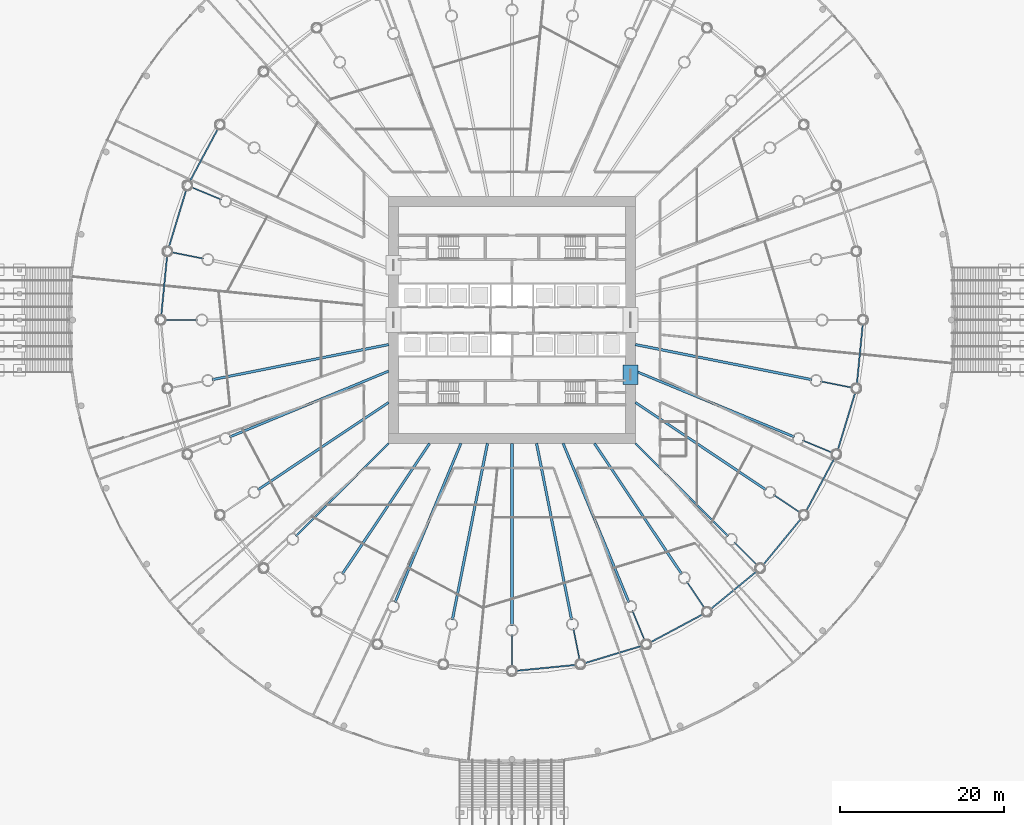
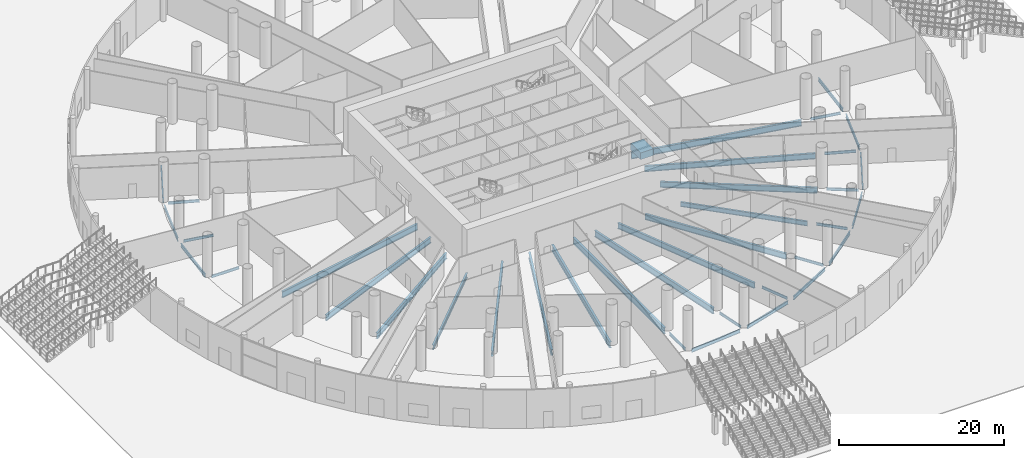
# One storey, part 7 of 33: 38 beams.
"""IFC4 building model written with IfcOpenShell, lengths in metres."""

import ifcopenshell
import ifcopenshell.guid

model = None  # the IFC model being written
_history = None  # IfcOwnerHistory: only IFC2X3 demands one
_inside = {}  # id of a spatial element -> (the spatial element, [elements in it])
_under = {}  # id of a project, library or spatial element -> (it, [spatial elements below it])
_declared = {}  # id of a project -> (the project, [libraries it declares])
_typed = {}  # id of a type object -> (the type object, [elements of that type])
_made_of = {}  # id of a material, layer set ... -> (it, [elements and type objects made of it])


def new_model(schema):
    """Start an empty IFC model of exactly this schema.

    Asked for "IFC4X3", IfcOpenShell would pick the latest addendum, in which some entities
    have other attributes; the version numbers below select the first issue.
    IFC2X3 requires an IfcOwnerHistory on every rooted entity: one is made here for all.
    """
    global model, _history
    if schema == "IFC4X3":
        model = ifcopenshell.file(schema_version=(4, 3, 0, 0))
    else:
        model = ifcopenshell.file(schema=schema)
    _inside.clear()
    _under.clear()
    _declared.clear()
    _typed.clear()
    _made_of.clear()
    _history = None
    if model.schema == "IFC2X3":
        org = make("IfcOrganization", Name="unknown")
        user = make(
            "IfcPersonAndOrganization",
            ThePerson=make("IfcPerson", FamilyName="unknown"),
            TheOrganization=org,
        )
        app = make(
            "IfcApplication",
            ApplicationDeveloper=org,
            Version="unknown",
            ApplicationFullName="unknown",
            ApplicationIdentifier="unknown",
        )
        _history = make(
            "IfcOwnerHistory",
            OwningUser=user,
            OwningApplication=app,
            ChangeAction="ADDED",
            CreationDate=0,
        )
    return model


def make(cls, **values):
    """One entity of the class cls with the attributes given. An attribute that is None is left unset."""
    return model.create_entity(
        cls, **{name: value for name, value in values.items() if value is not None}
    )


def rooted(cls, **values):
    """An entity with a GlobalId (a new one), such as an element, a storey or a relation."""
    return make(cls, GlobalId=ifcopenshell.guid.new(), OwnerHistory=_history, **values)


def si_unit(unit_type, name, prefix=None):
    """IfcSIUnit, for example si_unit("LENGTHUNIT", "METRE", prefix="MILLI")."""
    return make("IfcSIUnit", UnitType=unit_type, Prefix=prefix, Name=name)


def assignment(units):
    """IfcUnitAssignment: the units of a project."""
    return None if units is None else make("IfcUnitAssignment", Units=units)


def point(xyz):
    """IfcCartesianPoint."""
    return None if xyz is None else make("IfcCartesianPoint", Coordinates=xyz)


def direction(xyz):
    """IfcDirection."""
    return None if xyz is None else make("IfcDirection", DirectionRatios=xyz)


def frame(location, z_axis=None, x_axis=None):
    """IfcAxis2Placement3D, a coordinate frame: its origin and axes. An axis left out is left unset."""
    return make(
        "IfcAxis2Placement3D",
        Location=point(location),
        Axis=direction(z_axis),
        RefDirection=direction(x_axis),
    )


def frame_2d(location, x_axis=None):
    """IfcAxis2Placement2D, a coordinate frame in the plane: its origin and x axis."""
    return make(
        "IfcAxis2Placement2D", Location=point(location), RefDirection=direction(x_axis)
    )


def origin():
    """The frame at (0, 0, 0) with its axes left unset."""
    return frame((0.0, 0.0, 0.0))


def origin_2d():
    """The frame at (0, 0) in the plane with its x axis left unset."""
    return frame_2d((0.0, 0.0))


def place(relative_to, where):
    """IfcLocalPlacement: puts the frame where relative to a parent placement (None: the world)."""
    return make(
        "IfcLocalPlacement", PlacementRelTo=relative_to, RelativePlacement=where
    )


def context(
    kind, dimensions, precision=None, world=None, true_north=None, identifier=None
):
    """IfcGeometricRepresentationContext, for example the 3D "Model" context."""
    return make(
        "IfcGeometricRepresentationContext",
        ContextIdentifier=identifier,
        ContextType=kind,
        CoordinateSpaceDimension=dimensions,
        Precision=precision,
        WorldCoordinateSystem=world,
        TrueNorth=true_north,
    )


def subcontext(parent, identifier, kind, view, scale=None):
    """IfcGeometricRepresentationSubContext, for example "Body" below "Model"."""
    return make(
        "IfcGeometricRepresentationSubContext",
        ContextIdentifier=identifier,
        ContextType=kind,
        ParentContext=parent,
        TargetScale=scale,
        TargetView=view,
    )


def project(units=None, contexts=None):
    """IfcProject with its units and contexts."""
    return rooted(
        "IfcProject",
        Name="project",
        RepresentationContexts=contexts,
        UnitsInContext=assignment(units),
    )


def spatial(cls, under=None, at=None, **own):
    """A site, building, storey or space (cls), placed at a placement, below another one or the project."""
    s = rooted(cls, ObjectPlacement=at, **own)
    if under is not None:
        _under.setdefault(under.id(), (under, []))[1].append(s)
    return s


def profile(cls, at=None, kind="AREA", **sizes):
    """A parametric profile (cls). Its sizes go by their IFC names, for example OverallWidth=200.0."""
    return make(cls, ProfileType=kind, Position=at, **sizes)


def rectangle(**sizes):
    """IfcRectangleProfileDef."""
    return profile("IfcRectangleProfileDef", **sizes)


def i_section(**sizes):
    """IfcIShapeProfileDef."""
    return profile("IfcIShapeProfileDef", **sizes)


def extrude(swept, where, along, depth):
    """IfcExtrudedAreaSolid: the profile swept, set in the frame where, extruded along a direction by depth."""
    return make(
        "IfcExtrudedAreaSolid",
        SweptArea=swept,
        Position=where,
        ExtrudedDirection=direction(along),
        Depth=depth,
    )


def shape(context_of_items, identifier, shape_type, items):
    """IfcShapeRepresentation: the items that make up one representation, for example the "Body"."""
    return make(
        "IfcShapeRepresentation",
        ContextOfItems=context_of_items,
        RepresentationIdentifier=identifier,
        RepresentationType=shape_type,
        Items=items,
    )


def material(Name=None, Category=None):
    """IfcMaterial."""
    return make("IfcMaterial", Name=Name, Category=Category)


def material_profile(
    of_material, cross_section, Name=None, Category=None, Priority=None
):
    """IfcMaterialProfile: a cross section and its material."""
    return make(
        "IfcMaterialProfile",
        Name=Name,
        Material=of_material,
        Profile=cross_section,
        Priority=Priority,
        Category=Category,
    )


def profile_set(profiles, Name=None, composite=None):
    """IfcMaterialProfileSet."""
    return make(
        "IfcMaterialProfileSet",
        Name=Name,
        MaterialProfiles=profiles,
        CompositeProfile=composite,
    )


def made_of(thing, what):
    """Note that an element or type object is made of a material, layer set ...; save() writes the relation."""
    if what is not None:
        _made_of.setdefault(what.id(), (what, []))[1].append(thing)
    return thing


def type_object(cls, material=None, **own):
    """A type object (cls), such as IfcWallType, which elements share."""
    return made_of(rooted(cls, **own), material)


def element(
    cls,
    number,
    at=None,
    inside=None,
    cuts=None,
    type_object=None,
    material=None,
    context=None,
    identifier="Body",
    shape_type=None,
    held_by="IfcProductDefinitionShape",
    body=None,
    shapes=None,
    **own,
):
    """One element of the class cls, such as IfcWall. Its Tag is "e" and its number.

    at: its placement. inside: the storey or other place that contains it. cuts: it is an
    opening in that element (IfcRelVoidsElement). A single representation is given by context,
    identifier, shape_type and body (its items); several are given by shapes. held_by: the class
    of the entity that holds the representations. save() writes the other relations.
    """
    e = rooted(cls, Tag="e%d" % number, ObjectPlacement=at, **own)
    if body is not None:
        shapes = [shape(context, identifier, shape_type, body)]
    if shapes is not None:
        e.Representation = make(held_by, Representations=shapes)
    if inside is not None:
        _inside.setdefault(inside.id(), (inside, []))[1].append(e)
    if cuts is not None:
        rooted(
            "IfcRelVoidsElement", RelatingBuildingElement=cuts, RelatedOpeningElement=e
        )
    if type_object is not None:
        _typed.setdefault(type_object.id(), (type_object, []))[1].append(e)
    return made_of(e, material)


def aggregate(whole, parts):
    """IfcRelAggregates: a whole, such as a stair, and the parts it consists of."""
    return rooted("IfcRelAggregates", RelatingObject=whole, RelatedObjects=parts)


def save(model, path):
    """Write the relations noted so far, then the file.

    IfcRelAggregates (storeys below a building ...), IfcRelContainedInSpatialStructure (elements
    in a storey), IfcRelDefinesByType, IfcRelAssociatesMaterial and IfcRelDeclares: one each for
    every whole, place, type object, material and project.
    """
    for whole, parts in _under.values():
        aggregate(whole, parts)
    for where, things in _inside.values():
        rooted(
            "IfcRelContainedInSpatialStructure",
            RelatedElements=things,
            RelatingStructure=where,
        )
    for kind, things in _typed.values():
        rooted("IfcRelDefinesByType", RelatedObjects=things, RelatingType=kind)
    for what, things in _made_of.values():
        rooted("IfcRelAssociatesMaterial", RelatedObjects=things, RelatingMaterial=what)
    for by, libraries in _declared.values():
        rooted("IfcRelDeclares", RelatingContext=by, RelatedDefinitions=libraries)
    model.write(path)


model = new_model("IFC4")

# Units and contexts
model_context = context("Model", 3, precision=1e-05, world=origin(), true_north=direction((0.0, 1.0)))
body_context = subcontext(model_context, "Body", "Model", "MODEL_VIEW")
ifc_project = project(units=[si_unit("LENGTHUNIT", "METRE"), si_unit("AREAUNIT", "SQUARE_METRE"), si_unit("VOLUMEUNIT", "CUBIC_METRE"), si_unit("PLANEANGLEUNIT", "RADIAN"), si_unit("MASSUNIT", "GRAM", prefix="KILO")], contexts=[model_context])

# Site, building, storey
site_placement = place(None, origin())
site = spatial("IfcSite", under=ifc_project, at=site_placement, CompositionType="ELEMENT")
building_placement = place(site_placement, origin())
building = spatial("IfcBuilding", under=site, at=building_placement, Name="Corvane Civic Tower", CompositionType="ELEMENT")
storey_placement = place(building_placement, origin())
storey = spatial("IfcBuildingStorey", under=building, at=storey_placement, Name="G", CompositionType="ELEMENT", Elevation=0.0)

# Beams
ifc_material_1 = material(Name="Concrete C80/95", Category="concrete")
ifc_material_profile_1 = material_profile(ifc_material_1, rectangle(XDim=1.800048828125, YDim=1.0, at=origin_2d()), Name="COUPLING BEAM 1800X1000")
ifc_profile_set_1 = profile_set([ifc_material_profile_1], Name="Concrete C80/95")
beam_type_1 = type_object("IfcBeamType", Name="COUPLING BEAM COUPLING BEAM 1800X1000", PredefinedType="BEAM", material=ifc_profile_set_1)
beam_1_placement = place(storey_placement, frame((14.39990234375, -7.85009765625, 2.60009765625), z_axis=(0.0, 1.0, 0.0), x_axis=(-1.0, 0.0, 0.0)))
element("IfcBeam", 1, at=beam_1_placement, inside=storey, type_object=beam_type_1, Name="BM-G-cpl-CW-ES", PredefinedType="BEAM", context=body_context, shape_type="SweptSolid", body=[
    extrude(rectangle(XDim=1.800048828125, YDim=1.0, at=origin_2d()), origin(), (0.0, 0.0, 1.0), 2.400146484375),
])
ifc_material_2 = material(Name="Steel ASTM A992 Gr 50", Category="steel")
ifc_material_profile_2 = material_profile(ifc_material_2, i_section(OverallWidth=0.165771484375, OverallDepth=0.5283203125, WebThickness=0.009765625, FlangeThickness=0.013671875, at=origin_2d()), Name="W21X50")
ifc_profile_set_2 = profile_set([ifc_material_profile_2], Name="Steel ASTM A992 Gr 50")
beam_type_2 = type_object("IfcBeamType", Name="EDGE BEAM W21X50", PredefinedType="BEAM", material=ifc_profile_set_2)
for number, where, z_axis, x_axis, name in (
    (2, (42.64599609375, -0.54736328125, -0.564208984375), (-0.097984225478, -0.995187967953, 0.0), (0.995187967953, -0.097984225478, 0.0), "BM-G-E09"),
    (3, (41.719970703125, -8.856689453125, -0.564208984375), (-0.290291633127, -0.956938225664, 0.0), (0.956938225664, -0.290291633127, 0.0), "BM-G-E10"),
):
    element("IfcBeam", number, at=place(storey_placement, frame(where, z_axis=z_axis, x_axis=x_axis)), inside=storey, type_object=beam_type_2, Name=name, PredefinedType="BEAM", context=body_context, shape_type="SweptSolid", body=[
        extrude(i_section(OverallWidth=0.165771484375, OverallDepth=0.5283203125, WebThickness=0.009765625, FlangeThickness=0.013671875, at=origin_2d()), origin(), (0.0, 0.0, 1.0), 7.2705078125),
    ])
for number, where, z_axis, x_axis, name in (
    (4, (39.1904296875, -16.82568359375, -0.564208984375), (-0.471412394598, -0.881912894916, 0.0), (0.881912894916, -0.471412394598, 0.0), "BM-G-E11"),
    (5, (35.15478515625, -24.14794921875, -0.564208984375), (-0.634396365205, -0.773007924807, 0.0), (0.773007924807, -0.634396365205, 0.0), "BM-G-E12"),
    (6, (29.768310546875, -30.542236328125, -0.564208984375), (-0.773007924807, -0.634396365205, 0.0), (0.634396365205, -0.773007924807, 0.0), "BM-G-E13"),
    (7, (23.23779296875, -35.762939453125, -0.564208984375), (-0.881912894916, -0.471412394598, 0.0), (0.471412394598, -0.881912894916, 0.0), "BM-G-E14"),
):
    element("IfcBeam", number, at=place(storey_placement, frame(where, z_axis=z_axis, x_axis=x_axis)), inside=storey, type_object=beam_type_2, Name=name, PredefinedType="BEAM", context=body_context, shape_type="SweptSolid", body=[
        extrude(i_section(OverallWidth=0.165771484375, OverallDepth=0.5283203125, WebThickness=0.009765625, FlangeThickness=0.013671875, at=origin_2d()), origin(), (0.0, 0.0, 1.0), 7.270751953125),
    ])
for number, where, z_axis, x_axis, name in (
    (8, (15.814208984375, -39.609375, -0.564208984375), (-0.956938225664, -0.290291633127, 0.0), (0.290291633127, -0.956938225664, 0.0), "BM-G-E15"),
    (9, (7.782958984375, -41.93359375, -0.564208984375), (-0.995187967953, -0.097984225478, 0.0), (0.097984225478, -0.995187967953, 0.0), "BM-G-E16"),
    (10, (-42.64599609375, 0.54736328125, -0.564208984375), (0.097984225478, 0.995187967953, 0.0), (-0.995187967953, 0.097984225478, 0.0), "BM-G-E25"),
    (11, (-41.719970703125, 8.856689453125, -0.564208984375), (0.290291633127, 0.956938225664, 0.0), (-0.956938225664, 0.290291633127, 0.0), "BM-G-E26"),
):
    element("IfcBeam", number, at=place(storey_placement, frame(where, z_axis=z_axis, x_axis=x_axis)), inside=storey, type_object=beam_type_2, Name=name, PredefinedType="BEAM", context=body_context, shape_type="SweptSolid", body=[
        extrude(i_section(OverallWidth=0.165771484375, OverallDepth=0.5283203125, WebThickness=0.009765625, FlangeThickness=0.013671875, at=origin_2d()), origin(), (0.0, 0.0, 1.0), 7.2705078125),
    ])
beam_2_placement = place(storey_placement, frame((-39.1904296875, 16.82568359375, -0.564208984375), z_axis=(0.471412394598, 0.881912894916, 0.0), x_axis=(-0.881912894916, 0.471412394598, 0.0)))
element("IfcBeam", 12, at=beam_2_placement, inside=storey, type_object=beam_type_2, Name="BM-G-E27", PredefinedType="BEAM", context=body_context, shape_type="SweptSolid", body=[
    extrude(i_section(OverallWidth=0.165771484375, OverallDepth=0.5283203125, WebThickness=0.009765625, FlangeThickness=0.013671875, at=origin_2d()), origin(), (0.0, 0.0, 1.0), 7.270751953125),
])
ifc_material_3 = material(Name="Steel ASTM A992 Gr 50", Category="steel")
ifc_material_profile_3 = material_profile(ifc_material_3, i_section(OverallWidth=0.140380859375, OverallDepth=0.40380859375, WebThickness=0.007080078125, FlangeThickness=0.01123046875, at=origin_2d()), Name="W16X31")
ifc_profile_set_3 = profile_set([ifc_material_profile_3], Name="Steel ASTM A992 Gr 50")
beam_type_3 = type_object("IfcBeamType", Name="FLOOR GIRDER W16X31", PredefinedType="BEAM", material=ifc_profile_set_3)
for number, where, z_axis, x_axis, name in (
    (13, (37.51513671875, -7.462158203125, -0.501953125), (0.980777614264, -0.195128858343, 0.0), (0.195128858343, 0.980777614264, 0.0), "BM-G-G10b"),
    (14, (35.33837890625, -14.6376953125, -0.501953125), (0.923878730261, -0.382685369162, 0.0), (0.382685369162, 0.923878730261, 0.0), "BM-G-G11b"),
    (15, (31.8037109375, -21.25048828125, -0.501953125), (0.831462344301, -0.555581110199, 0.0), (0.555581110199, 0.831462344301, 0.0), "BM-G-G12b"),
    (16, (27.046875, -27.046875, -0.501953125), (0.707106781187, -0.707106781187, 0.0), (0.707106781187, 0.707106781187, 0.0), "BM-G-G13b"),
    (17, (21.25048828125, -31.8037109375, -0.501953125), (0.555581110199, -0.831462344301, 0.0), (0.831462344301, 0.555581110199, 0.0), "BM-G-G14b"),
    (18, (14.6376953125, -35.33837890625, -0.501953125), (0.382685369162, -0.923878730261, 0.0), (0.923878730261, 0.382685369162, 0.0), "BM-G-G15b"),
    (19, (7.462158203125, -37.51513671875, -0.501953125), (0.195128858343, -0.980777614264, 0.0), (0.980777614264, 0.195128858343, 0.0), "BM-G-G16b"),
    (20, (0.0, -38.25, -0.501953125), (0.0, -1.0, 0.0), (1.0, 0.0, 0.0), "BM-G-G17b"),
    (21, (-38.25, 0.0, -0.501953125), (-1.0, 0.0, 0.0), (0.0, -1.0, 0.0), "BM-G-G25b"),
    (22, (-37.51513671875, 7.462158203125, -0.501953125), (-0.980777614264, 0.195128858343, 0.0), (-0.195128858343, -0.980777614264, 0.0), "BM-G-G26b"),
    (23, (-35.33837890625, 14.6376953125, -0.501953125), (-0.923878730261, 0.382685369162, 0.0), (-0.382685369162, -0.923878730261, 0.0), "BM-G-G27b"),
):
    element("IfcBeam", number, at=place(storey_placement, frame(where, z_axis=z_axis, x_axis=x_axis)), inside=storey, type_object=beam_type_3, Name=name, PredefinedType="BEAM", context=body_context, shape_type="SweptSolid", body=[
        extrude(i_section(OverallWidth=0.140380859375, OverallDepth=0.40380859375, WebThickness=0.007080078125, FlangeThickness=0.01123046875, at=origin_2d()), origin(), (0.0, 0.0, 1.0), 3.89990234375),
    ])
ifc_material_4 = material(Name="Steel ASTM A992 Gr 50", Category="steel")
ifc_material_profile_4 = material_profile(ifc_material_4, i_section(OverallWidth=0.25390625, OverallDepth=0.67822265625, WebThickness=0.01171875, FlangeThickness=0.016357421875, at=origin_2d()), Name="W27X84")
ifc_profile_set_4 = profile_set([ifc_material_profile_4], Name="Steel ASTM A992 Gr 50")
beam_type_4 = type_object("IfcBeamType", Name="FLOOR GIRDER W27X84", PredefinedType="BEAM", material=ifc_profile_set_4)
for number, where, z_axis, x_axis, name in (
    (24, (15.0, -15.0, -0.63916015625), (0.707106781187, -0.707106781187, 0.0), (0.707106781187, 0.707106781187, 0.0), "BM-G-G13"),
    (25, (-15.0, -15.0, -0.63916015625), (-0.707106781187, -0.707106781187, 0.0), (0.707106781187, -0.707106781187, 0.0), "BM-G-G21"),
):
    element("IfcBeam", number, at=place(storey_placement, frame(where, z_axis=z_axis, x_axis=x_axis)), inside=storey, type_object=beam_type_4, Name=name, PredefinedType="BEAM", context=body_context, shape_type="SweptSolid", body=[
        extrude(i_section(OverallWidth=0.25390625, OverallDepth=0.67822265625, WebThickness=0.01171875, FlangeThickness=0.016357421875, at=origin_2d()), origin(), (0.0, 0.0, 1.0), 15.936767578125),
    ])
ifc_material_5 = material(Name="Steel ASTM A992 Gr 50", Category="steel")
ifc_material_profile_5 = material_profile(ifc_material_5, i_section(OverallWidth=0.2919921875, OverallDepth=0.845703125, WebThickness=0.015380859375, FlangeThickness=0.0244140625, at=origin_2d()), Name="W33X141")
ifc_profile_set_5 = profile_set([ifc_material_profile_5], Name="Steel ASTM A992 Gr 50")
beam_type_5 = type_object("IfcBeamType", Name="FLOOR GIRDER W33X141", PredefinedType="BEAM", material=ifc_profile_set_5)
beam_3_placement = place(storey_placement, frame((15.0, -6.213134765625, -0.722900390625), z_axis=(0.923875834355, -0.382692360381, 0.0), x_axis=(0.382692360381, 0.923875834355, 0.0)))
element("IfcBeam", 26, at=beam_3_placement, inside=storey, type_object=beam_type_5, Name="BM-G-G11", PredefinedType="BEAM", context=body_context, shape_type="SweptSolid", body=[
    extrude(i_section(OverallWidth=0.2919921875, OverallDepth=0.845703125, WebThickness=0.015380859375, FlangeThickness=0.0244140625, at=origin_2d()), origin(), (0.0, 0.0, 1.0), 20.9140625),
])
for number, where, z_axis, x_axis, name in (
    (27, (15.0, -10.022705078125, -0.722900390625), (0.831471985418, -0.555566681385, 0.0), (0.555566681385, 0.831471985418, 0.0), "BM-G-G12"),
    (28, (10.022705078125, -15.0, -0.722900390625), (0.555566681385, -0.831471985418, 0.0), (0.831471985418, 0.555566681385, 0.0), "BM-G-G14"),
):
    element("IfcBeam", number, at=place(storey_placement, frame(where, z_axis=z_axis, x_axis=x_axis)), inside=storey, type_object=beam_type_5, Name=name, PredefinedType="BEAM", context=body_context, shape_type="SweptSolid", body=[
        extrude(i_section(OverallWidth=0.2919921875, OverallDepth=0.845703125, WebThickness=0.015380859375, FlangeThickness=0.0244140625, at=origin_2d()), origin(), (0.0, 0.0, 1.0), 19.109619140625),
    ])
for number, where, z_axis, x_axis, name in (
    (29, (6.213134765625, -15.0, -0.722900390625), (0.382692360381, -0.923875834355, 0.0), (0.923875834355, 0.382692360381, 0.0), "BM-G-G15"),
    (30, (-6.213134765625, -15.0, -0.722900390625), (-0.382692360381, -0.923875834355, 0.0), (0.923875834355, -0.382692360381, 0.0), "BM-G-G19"),
):
    element("IfcBeam", number, at=place(storey_placement, frame(where, z_axis=z_axis, x_axis=x_axis)), inside=storey, type_object=beam_type_5, Name=name, PredefinedType="BEAM", context=body_context, shape_type="SweptSolid", body=[
        extrude(i_section(OverallWidth=0.2919921875, OverallDepth=0.845703125, WebThickness=0.015380859375, FlangeThickness=0.0244140625, at=origin_2d()), origin(), (0.0, 0.0, 1.0), 20.9140625),
    ])
for number, where, z_axis, x_axis, name in (
    (31, (-10.022705078125, -15.0, -0.722900390625), (-0.555566681385, -0.831471985418, 0.0), (0.831471985418, -0.555566681385, 0.0), "BM-G-G20"),
    (32, (-15.0, -10.022705078125, -0.722900390625), (-0.831471985418, -0.555566681385, 0.0), (0.555566681385, -0.831471985418, 0.0), "BM-G-G22"),
):
    element("IfcBeam", number, at=place(storey_placement, frame(where, z_axis=z_axis, x_axis=x_axis)), inside=storey, type_object=beam_type_5, Name=name, PredefinedType="BEAM", context=body_context, shape_type="SweptSolid", body=[
        extrude(i_section(OverallWidth=0.2919921875, OverallDepth=0.845703125, WebThickness=0.015380859375, FlangeThickness=0.0244140625, at=origin_2d()), origin(), (0.0, 0.0, 1.0), 19.109619140625),
    ])
beam_4_placement = place(storey_placement, frame((-15.0, -6.213134765625, -0.722900390625), z_axis=(-0.923875834355, -0.382692360381, 0.0), x_axis=(0.382692360381, -0.923875834355, 0.0)))
element("IfcBeam", 33, at=beam_4_placement, inside=storey, type_object=beam_type_5, Name="BM-G-G23", PredefinedType="BEAM", context=body_context, shape_type="SweptSolid", body=[
    extrude(i_section(OverallWidth=0.2919921875, OverallDepth=0.845703125, WebThickness=0.015380859375, FlangeThickness=0.0244140625, at=origin_2d()), origin(), (0.0, 0.0, 1.0), 20.9140625),
])
ifc_material_6 = material(Name="Steel ASTM A992 Gr 50", Category="steel")
ifc_material_profile_6 = material_profile(ifc_material_6, i_section(OverallWidth=0.3046875, OverallDepth=0.911865234375, WebThickness=0.015869140625, FlangeThickness=0.02392578125, at=origin_2d()), Name="W36X150")
ifc_profile_set_6 = profile_set([ifc_material_profile_6], Name="Steel ASTM A992 Gr 50")
beam_type_6 = type_object("IfcBeamType", Name="FLOOR GIRDER W36X150", PredefinedType="BEAM", material=ifc_profile_set_6)
for number, where, z_axis, x_axis, name in (
    (34, (15.0, -2.983642578125, -0.755859375), (0.980785499679, -0.195089219638, 0.0), (0.195089219638, 0.980785499679, 0.0), "BM-G-G10"),
    (35, (2.983642578125, -15.0, -0.755859375), (0.195089219638, -0.980785499679, 0.0), (0.980785499679, 0.195089219638, 0.0), "BM-G-G16"),
):
    element("IfcBeam", number, at=place(storey_placement, frame(where, z_axis=z_axis, x_axis=x_axis)), inside=storey, type_object=beam_type_6, Name=name, PredefinedType="BEAM", context=body_context, shape_type="SweptSolid", body=[
        extrude(i_section(OverallWidth=0.3046875, OverallDepth=0.911865234375, WebThickness=0.015869140625, FlangeThickness=0.02392578125, at=origin_2d()), origin(), (0.0, 0.0, 1.0), 21.856201171875),
    ])
beam_5_placement = place(storey_placement, frame((0.0, -15.0, -0.755859375), z_axis=(0.0, -1.0, 0.0), x_axis=(1.0, 0.0, 0.0)))
element("IfcBeam", 36, at=beam_5_placement, inside=storey, type_object=beam_type_6, Name="BM-G-G17", PredefinedType="BEAM", context=body_context, shape_type="SweptSolid", body=[
    extrude(i_section(OverallWidth=0.3046875, OverallDepth=0.911865234375, WebThickness=0.015869140625, FlangeThickness=0.02392578125, at=origin_2d()), origin(), (0.0, 0.0, 1.0), 22.14990234375),
])
for number, where, z_axis, x_axis, name in (
    (37, (-2.983642578125, -15.0, -0.755859375), (-0.195089219638, -0.980785499679, 0.0), (0.980785499679, -0.195089219638, 0.0), "BM-G-G18"),
    (38, (-15.0, -2.983642578125, -0.755859375), (-0.980785499679, -0.195089219638, 0.0), (0.195089219638, -0.980785499679, 0.0), "BM-G-G24"),
):
    element("IfcBeam", number, at=place(storey_placement, frame(where, z_axis=z_axis, x_axis=x_axis)), inside=storey, type_object=beam_type_6, Name=name, PredefinedType="BEAM", context=body_context, shape_type="SweptSolid", body=[
        extrude(i_section(OverallWidth=0.3046875, OverallDepth=0.911865234375, WebThickness=0.015869140625, FlangeThickness=0.02392578125, at=origin_2d()), origin(), (0.0, 0.0, 1.0), 21.856201171875),
    ])

save(model, "model.ifc")
